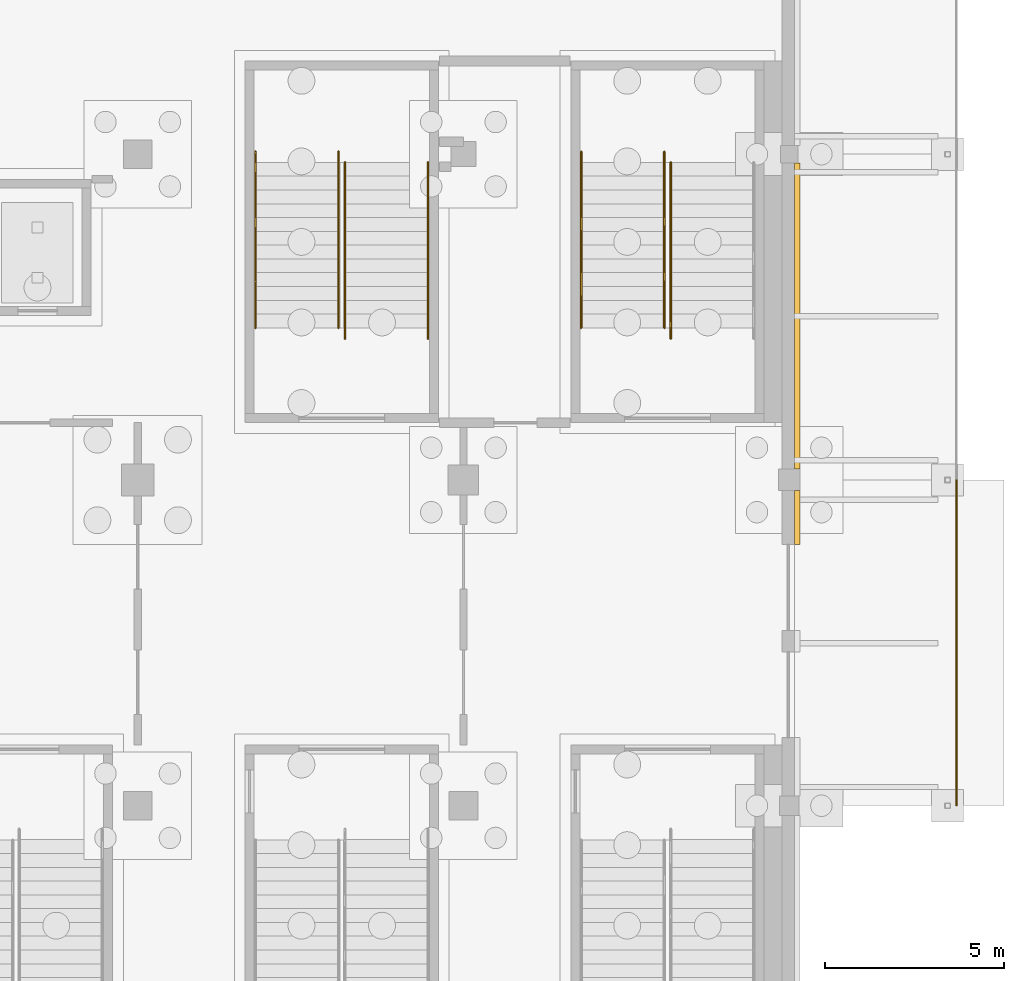
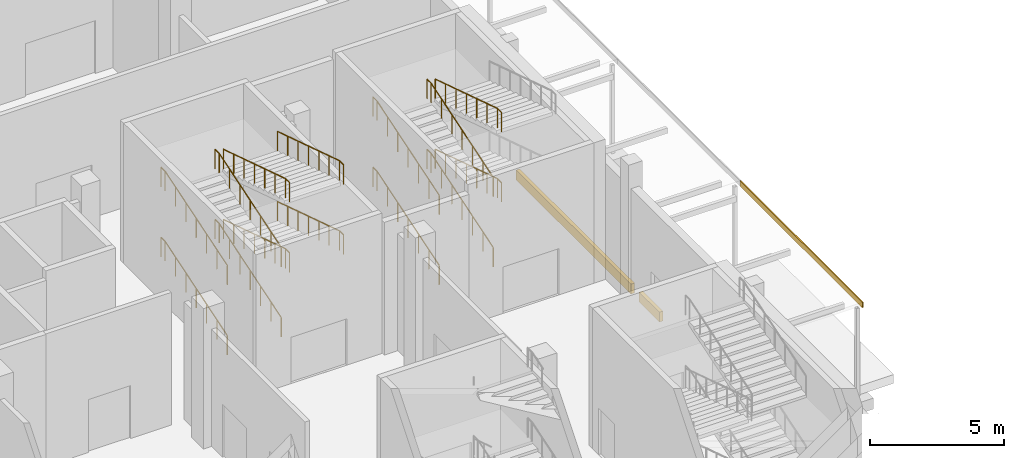
# One storey, part 118 of 129: 14 railings, 3 coverings.
"""IFC4 building model written with IfcOpenShell, lengths in metres."""

from ifc_helpers import new_model, si_unit, direction, frame, origin, origin_2d, place, context, subcontext, project, spatial, rectangle, circle, extrude, material, layer, layer_set, type_object, element, save


model = new_model("IFC4")

# Units and contexts
model_context = context("Model", 3, precision=1e-05, world=origin(), true_north=direction((0.0, 1.0)))
body_context = subcontext(model_context, "Body", "Model", "MODEL_VIEW")
ifc_project = project(units=[si_unit("LENGTHUNIT", "METRE"), si_unit("AREAUNIT", "SQUARE_METRE"), si_unit("VOLUMEUNIT", "CUBIC_METRE"), si_unit("PLANEANGLEUNIT", "RADIAN"), si_unit("MASSUNIT", "GRAM", prefix="KILO")], contexts=[model_context])

# Site, building, storey
site_placement = place(None, origin())
site = spatial("IfcSite", under=ifc_project, at=site_placement, CompositionType="ELEMENT")
building_placement = place(site_placement, origin())
building = spatial("IfcBuilding", under=site, at=building_placement, Name="Shirokan Park Arena", CompositionType="ELEMENT")
storey_placement = place(building_placement, origin())
storey = spatial("IfcBuildingStorey", under=building, at=storey_placement, Name="L00", CompositionType="ELEMENT", Elevation=0.0)

# Covering
ifc_material_1 = material(Name="Timber fascia (cedar)", Category="wood")
ifc_layer_1 = layer(ifc_material_1, 0.050048828125)
ifc_layer_set_1 = layer_set([ifc_layer_1], Name="Timber fascia (cedar) 50 mm")
covering_type_1 = type_object("IfcCoveringType", Name="Canopy fascia 50x250", PredefinedType="CLADDING", material=ifc_layer_set_1)
covering_1_placement = place(storey_placement, frame((150.27490234375, 13.64990234375, 3.5), z_axis=(0.0, 0.0, 1.0), x_axis=(0.0, 1.0, 0.0)))
element("IfcCovering", 1, at=covering_1_placement, inside=storey, type_object=covering_type_1, Name="Canopy fascia east bay 2", PredefinedType="CLADDING", context=body_context, shape_type="SweptSolid", body=[
    extrude(rectangle(XDim=9.10009765625, YDim=0.050048828125, at=origin_2d()), origin(), (0.0, 0.0, 1.0), 0.25),
])

# Railings
ifc_material_2 = material(Name="Stainless steel", Category="steel")
railing_type = type_object("IfcRailingType", Name="Stair handrail 900", PredefinedType="HANDRAIL", material=ifc_material_2)
railing_1_placement = place(storey_placement, frame((139.7900390625, 22.449951171875, 0.12255859375)))
element("IfcRailing", 2, at=railing_1_placement, inside=storey, type_object=railing_type, Name="Handrail Exit Stair 2.E L00 to L01", PredefinedType="HANDRAIL", context=body_context, shape_type="SweptSolid", body=[
    extrude(circle(Radius=0.02392578125, at=origin_2d()), frame((0.0, 0.0, 0.8759765625), z_axis=(0.0, 0.952929747917, 0.303191186441), x_axis=(-1.0, 0.0, 0.0)), (0.0, 0.0, 1.0), 1.6162109375),
    extrude(circle(Radius=0.02392578125, at=origin_2d()), frame((0.0, 1.5400390625, 1.36572265625), z_axis=(0.0, 0.952929747917, 0.303191186441), x_axis=(-1.0, 0.0, 0.0)), (0.0, 0.0, 1.0), 1.6162109375),
    extrude(circle(Radius=0.02392578125, at=origin_2d()), frame((0.0, 3.080078125, 1.85595703125), z_axis=(0.0, 0.952929747917, 0.303191186441), x_axis=(-1.0, 0.0, 0.0)), (0.0, 0.0, 1.0), 1.6162109375),
    extrude(circle(Radius=0.02392578125, at=origin_2d()), frame((0.0, 4.6201171875, 2.345703125), z_axis=(0.0, 1.0, 0.0), x_axis=(-1.0, 0.0, 0.0)), (0.0, 0.0, 1.0), 0.300048828125),
    extrude(circle(Radius=0.02099609375, at=origin_2d()), origin(), (0.0, 0.0, 1.0), 0.851806640625),
    extrude(circle(Radius=0.02099609375, at=origin_2d()), frame((0.0, 0.77001953125, 0.2451171875)), (0.0, 0.0, 1.0), 0.851806640625),
    extrude(circle(Radius=0.02099609375, at=origin_2d()), frame((0.0, 1.5400390625, 0.489990234375)), (0.0, 0.0, 1.0), 0.851806640625),
    extrude(circle(Radius=0.02099609375, at=origin_2d()), frame((0.0, 2.31005859375, 0.73486328125)), (0.0, 0.0, 1.0), 0.851806640625),
    extrude(circle(Radius=0.02099609375, at=origin_2d()), frame((0.0, 3.080078125, 0.97998046875)), (0.0, 0.0, 1.0), 0.851806640625),
    extrude(circle(Radius=0.02099609375, at=origin_2d()), frame((0.0, 3.85009765625, 1.22509765625)), (0.0, 0.0, 1.0), 0.851806640625),
    extrude(circle(Radius=0.02099609375, at=origin_2d()), frame((0.0, 4.6201171875, 1.469970703125)), (0.0, 0.0, 1.0), 0.851806640625),
    extrude(circle(Radius=0.02099609375, at=origin_2d()), frame((0.0, 4.920166015625, 1.469970703125)), (0.0, 0.0, 1.0), 0.851806640625),
])
railing_2_placement = place(storey_placement, frame((142.110107421875, 22.449951171875, 0.12255859375)))
element("IfcRailing", 3, at=railing_2_placement, inside=storey, type_object=railing_type, Name="Handrail Exit Stair 2.E L00 to L01", PredefinedType="HANDRAIL", context=body_context, shape_type="SweptSolid", body=[
    extrude(circle(Radius=0.02392578125, at=origin_2d()), frame((0.0, 0.0, 0.8759765625), z_axis=(0.0, 0.952929747917, 0.303191186441), x_axis=(-1.0, 0.0, 0.0)), (0.0, 0.0, 1.0), 1.6162109375),
    extrude(circle(Radius=0.02392578125, at=origin_2d()), frame((0.0, 1.5400390625, 1.36572265625), z_axis=(0.0, 0.952929747917, 0.303191186441), x_axis=(-1.0, 0.0, 0.0)), (0.0, 0.0, 1.0), 1.6162109375),
    extrude(circle(Radius=0.02392578125, at=origin_2d()), frame((0.0, 3.080078125, 1.85595703125), z_axis=(0.0, 0.952929747917, 0.303191186441), x_axis=(-1.0, 0.0, 0.0)), (0.0, 0.0, 1.0), 1.6162109375),
    extrude(circle(Radius=0.02392578125, at=origin_2d()), frame((0.0, 4.6201171875, 2.345703125), z_axis=(0.0, 1.0, 0.0), x_axis=(-1.0, 0.0, 0.0)), (0.0, 0.0, 1.0), 0.300048828125),
    extrude(circle(Radius=0.02099609375, at=origin_2d()), origin(), (0.0, 0.0, 1.0), 0.851806640625),
    extrude(circle(Radius=0.02099609375, at=origin_2d()), frame((0.0, 0.77001953125, 0.2451171875)), (0.0, 0.0, 1.0), 0.851806640625),
    extrude(circle(Radius=0.02099609375, at=origin_2d()), frame((0.0, 1.5400390625, 0.489990234375)), (0.0, 0.0, 1.0), 0.851806640625),
    extrude(circle(Radius=0.02099609375, at=origin_2d()), frame((0.0, 2.31005859375, 0.73486328125)), (0.0, 0.0, 1.0), 0.851806640625),
    extrude(circle(Radius=0.02099609375, at=origin_2d()), frame((0.0, 3.080078125, 0.97998046875)), (0.0, 0.0, 1.0), 0.851806640625),
    extrude(circle(Radius=0.02099609375, at=origin_2d()), frame((0.0, 3.85009765625, 1.22509765625)), (0.0, 0.0, 1.0), 0.851806640625),
    extrude(circle(Radius=0.02099609375, at=origin_2d()), frame((0.0, 4.6201171875, 1.469970703125)), (0.0, 0.0, 1.0), 0.851806640625),
    extrude(circle(Radius=0.02099609375, at=origin_2d()), frame((0.0, 4.920166015625, 1.469970703125)), (0.0, 0.0, 1.0), 0.851806640625),
])
railing_3_placement = place(storey_placement, frame((142.2900390625, 27.070068359375, 1.715087890625)))
element("IfcRailing", 4, at=railing_3_placement, inside=storey, type_object=railing_type, Name="Handrail Exit Stair 2.E L00 to L01", PredefinedType="HANDRAIL", context=body_context, shape_type="SweptSolid", body=[
    extrude(circle(Radius=0.02392578125, at=origin_2d()), frame((0.0, 0.0, 0.8759765625), z_axis=(0.0, -0.952929747917, 0.303191186441), x_axis=(1.0, 0.0, 0.0)), (0.0, 0.0, 1.0), 1.6162109375),
    extrude(circle(Radius=0.02392578125, at=origin_2d()), frame((0.0, -1.5400390625, 1.36572265625), z_axis=(0.0, -0.952929747917, 0.303191186441), x_axis=(1.0, 0.0, 0.0)), (0.0, 0.0, 1.0), 1.6162109375),
    extrude(circle(Radius=0.02392578125, at=origin_2d()), frame((0.0, -3.080078125, 1.85595703125), z_axis=(0.0, -0.952929747917, 0.303191186441), x_axis=(1.0, 0.0, 0.0)), (0.0, 0.0, 1.0), 1.6162109375),
    extrude(circle(Radius=0.02392578125, at=origin_2d()), frame((0.0, -4.6201171875, 2.345703125), z_axis=(0.0, -1.0, 0.0), x_axis=(1.0, 0.0, 0.0)), (0.0, 0.0, 1.0), 0.300048828125),
    extrude(circle(Radius=0.02099609375, at=origin_2d()), origin(), (0.0, 0.0, 1.0), 0.851806640625),
    extrude(circle(Radius=0.02099609375, at=origin_2d()), frame((0.0, -0.77001953125, 0.2451171875)), (0.0, 0.0, 1.0), 0.851806640625),
    extrude(circle(Radius=0.02099609375, at=origin_2d()), frame((0.0, -1.5400390625, 0.489990234375)), (0.0, 0.0, 1.0), 0.851806640625),
    extrude(circle(Radius=0.02099609375, at=origin_2d()), frame((0.0, -2.31005859375, 0.73486328125)), (0.0, 0.0, 1.0), 0.851806640625),
    extrude(circle(Radius=0.02099609375, at=origin_2d()), frame((0.0, -3.080078125, 0.97998046875)), (0.0, 0.0, 1.0), 0.851806640625),
    extrude(circle(Radius=0.02099609375, at=origin_2d()), frame((0.0, -3.85009765625, 1.22509765625)), (0.0, 0.0, 1.0), 0.851806640625),
    extrude(circle(Radius=0.02099609375, at=origin_2d()), frame((0.0, -4.6201171875, 1.469970703125)), (0.0, 0.0, 1.0), 0.851806640625),
    extrude(circle(Radius=0.02099609375, at=origin_2d()), frame((0.0, -4.920166015625, 1.469970703125)), (0.0, 0.0, 1.0), 0.851806640625),
])
railing_4_placement = place(storey_placement, frame((139.7900390625, 22.449951171875, 3.3076171875)))
element("IfcRailing", 5, at=railing_4_placement, inside=storey, type_object=railing_type, Name="Handrail Exit Stair 2.E L00 to L01", PredefinedType="HANDRAIL", context=body_context, shape_type="SweptSolid", body=[
    extrude(circle(Radius=0.02392578125, at=origin_2d()), frame((0.0, 0.0, 0.8759765625), z_axis=(0.0, 0.952929747917, 0.303191186441), x_axis=(-1.0, 0.0, 0.0)), (0.0, 0.0, 1.0), 1.6162109375),
    extrude(circle(Radius=0.02392578125, at=origin_2d()), frame((0.0, 1.5400390625, 1.36572265625), z_axis=(0.0, 0.952929747917, 0.303191186441), x_axis=(-1.0, 0.0, 0.0)), (0.0, 0.0, 1.0), 1.6162109375),
    extrude(circle(Radius=0.02392578125, at=origin_2d()), frame((0.0, 3.080078125, 1.85595703125), z_axis=(0.0, 0.952929747917, 0.303191186441), x_axis=(-1.0, 0.0, 0.0)), (0.0, 0.0, 1.0), 1.6162109375),
    extrude(circle(Radius=0.02392578125, at=origin_2d()), frame((0.0, 4.6201171875, 2.345703125), z_axis=(0.0, 1.0, 0.0), x_axis=(-1.0, 0.0, 0.0)), (0.0, 0.0, 1.0), 0.300048828125),
    extrude(circle(Radius=0.02099609375, at=origin_2d()), origin(), (0.0, 0.0, 1.0), 0.851806640625),
    extrude(circle(Radius=0.02099609375, at=origin_2d()), frame((0.0, 0.77001953125, 0.2451171875)), (0.0, 0.0, 1.0), 0.851806640625),
    extrude(circle(Radius=0.02099609375, at=origin_2d()), frame((0.0, 1.5400390625, 0.489990234375)), (0.0, 0.0, 1.0), 0.851806640625),
    extrude(circle(Radius=0.02099609375, at=origin_2d()), frame((0.0, 2.31005859375, 0.73486328125)), (0.0, 0.0, 1.0), 0.851806640625),
    extrude(circle(Radius=0.02099609375, at=origin_2d()), frame((0.0, 3.080078125, 0.97998046875)), (0.0, 0.0, 1.0), 0.851806640625),
    extrude(circle(Radius=0.02099609375, at=origin_2d()), frame((0.0, 3.85009765625, 1.22509765625)), (0.0, 0.0, 1.0), 0.851806640625),
    extrude(circle(Radius=0.02099609375, at=origin_2d()), frame((0.0, 4.6201171875, 1.469970703125)), (0.0, 0.0, 1.0), 0.851806640625),
    extrude(circle(Radius=0.02099609375, at=origin_2d()), frame((0.0, 4.920166015625, 1.469970703125)), (0.0, 0.0, 1.0), 0.851806640625),
])
railing_5_placement = place(storey_placement, frame((142.110107421875, 22.449951171875, 3.3076171875)))
element("IfcRailing", 6, at=railing_5_placement, inside=storey, type_object=railing_type, Name="Handrail Exit Stair 2.E L00 to L01", PredefinedType="HANDRAIL", context=body_context, shape_type="SweptSolid", body=[
    extrude(circle(Radius=0.02392578125, at=origin_2d()), frame((0.0, 0.0, 0.8759765625), z_axis=(0.0, 0.952929747917, 0.303191186441), x_axis=(-1.0, 0.0, 0.0)), (0.0, 0.0, 1.0), 1.6162109375),
    extrude(circle(Radius=0.02392578125, at=origin_2d()), frame((0.0, 1.5400390625, 1.36572265625), z_axis=(0.0, 0.952929747917, 0.303191186441), x_axis=(-1.0, 0.0, 0.0)), (0.0, 0.0, 1.0), 1.6162109375),
    extrude(circle(Radius=0.02392578125, at=origin_2d()), frame((0.0, 3.080078125, 1.85595703125), z_axis=(0.0, 0.952929747917, 0.303191186441), x_axis=(-1.0, 0.0, 0.0)), (0.0, 0.0, 1.0), 1.6162109375),
    extrude(circle(Radius=0.02392578125, at=origin_2d()), frame((0.0, 4.6201171875, 2.345703125), z_axis=(0.0, 1.0, 0.0), x_axis=(-1.0, 0.0, 0.0)), (0.0, 0.0, 1.0), 0.300048828125),
    extrude(circle(Radius=0.02099609375, at=origin_2d()), origin(), (0.0, 0.0, 1.0), 0.851806640625),
    extrude(circle(Radius=0.02099609375, at=origin_2d()), frame((0.0, 0.77001953125, 0.2451171875)), (0.0, 0.0, 1.0), 0.851806640625),
    extrude(circle(Radius=0.02099609375, at=origin_2d()), frame((0.0, 1.5400390625, 0.489990234375)), (0.0, 0.0, 1.0), 0.851806640625),
    extrude(circle(Radius=0.02099609375, at=origin_2d()), frame((0.0, 2.31005859375, 0.73486328125)), (0.0, 0.0, 1.0), 0.851806640625),
    extrude(circle(Radius=0.02099609375, at=origin_2d()), frame((0.0, 3.080078125, 0.97998046875)), (0.0, 0.0, 1.0), 0.851806640625),
    extrude(circle(Radius=0.02099609375, at=origin_2d()), frame((0.0, 3.85009765625, 1.22509765625)), (0.0, 0.0, 1.0), 0.851806640625),
    extrude(circle(Radius=0.02099609375, at=origin_2d()), frame((0.0, 4.6201171875, 1.469970703125)), (0.0, 0.0, 1.0), 0.851806640625),
    extrude(circle(Radius=0.02099609375, at=origin_2d()), frame((0.0, 4.920166015625, 1.469970703125)), (0.0, 0.0, 1.0), 0.851806640625),
])
railing_6_placement = place(storey_placement, frame((142.2900390625, 27.070068359375, 4.89990234375)))
element("IfcRailing", 7, at=railing_6_placement, inside=storey, type_object=railing_type, Name="Handrail Exit Stair 2.E L00 to L01", PredefinedType="HANDRAIL", context=body_context, shape_type="SweptSolid", body=[
    extrude(circle(Radius=0.02392578125, at=origin_2d()), frame((0.0, 0.0, 0.8759765625), z_axis=(0.0, -0.952929747917, 0.303191186441), x_axis=(1.0, 0.0, 0.0)), (0.0, 0.0, 1.0), 1.6162109375),
    extrude(circle(Radius=0.02392578125, at=origin_2d()), frame((0.0, -1.5400390625, 1.36572265625), z_axis=(0.0, -0.952929747917, 0.303191186441), x_axis=(1.0, 0.0, 0.0)), (0.0, 0.0, 1.0), 1.6162109375),
    extrude(circle(Radius=0.02392578125, at=origin_2d()), frame((0.0, -3.080078125, 1.85595703125), z_axis=(0.0, -0.952886093821, 0.303328357069), x_axis=(1.0, 0.0, 0.0)), (0.0, 0.0, 1.0), 1.6162109375),
    extrude(circle(Radius=0.02392578125, at=origin_2d()), frame((0.0, -4.6201171875, 2.34619140625), z_axis=(0.0, -1.0, 0.0), x_axis=(1.0, 0.0, 0.0)), (0.0, 0.0, 1.0), 0.300048828125),
    extrude(circle(Radius=0.02099609375, at=origin_2d()), origin(), (0.0, 0.0, 1.0), 0.851806640625),
    extrude(circle(Radius=0.02099609375, at=origin_2d()), frame((0.0, -0.77001953125, 0.2451171875)), (0.0, 0.0, 1.0), 0.851806640625),
    extrude(circle(Radius=0.02099609375, at=origin_2d()), frame((0.0, -1.5400390625, 0.489990234375)), (0.0, 0.0, 1.0), 0.851806640625),
    extrude(circle(Radius=0.02099609375, at=origin_2d()), frame((0.0, -2.31005859375, 0.73486328125)), (0.0, 0.0, 1.0), 0.851806640625),
    extrude(circle(Radius=0.02099609375, at=origin_2d()), frame((0.0, -3.080078125, 0.97998046875)), (0.0, 0.0, 1.0), 0.851806640625),
    extrude(circle(Radius=0.02099609375, at=origin_2d()), frame((0.0, -3.85009765625, 1.22509765625)), (0.0, 0.0, 1.0), 0.851806640625),
    extrude(circle(Radius=0.02099609375, at=origin_2d()), frame((0.0, -4.6201171875, 1.47021484375)), (0.0, 0.0, 1.0), 0.851806640625),
    extrude(circle(Radius=0.02099609375, at=origin_2d()), frame((0.0, -4.920166015625, 1.47021484375)), (0.0, 0.0, 1.0), 0.851806640625),
])
railing_7_placement = place(storey_placement, frame((130.68994140625, 22.449951171875, 0.12255859375)))
element("IfcRailing", 8, at=railing_7_placement, inside=storey, type_object=railing_type, Name="Handrail Exit Stair 2.F L00 to L01", PredefinedType="HANDRAIL", context=body_context, shape_type="SweptSolid", body=[
    extrude(circle(Radius=0.02392578125, at=origin_2d()), frame((0.0, 0.0, 0.8759765625), z_axis=(0.0, 0.952929747917, 0.303191186441), x_axis=(-1.0, 0.0, 0.0)), (0.0, 0.0, 1.0), 1.6162109375),
    extrude(circle(Radius=0.02392578125, at=origin_2d()), frame((0.0, 1.5400390625, 1.36572265625), z_axis=(0.0, 0.952929747917, 0.303191186441), x_axis=(-1.0, 0.0, 0.0)), (0.0, 0.0, 1.0), 1.6162109375),
    extrude(circle(Radius=0.02392578125, at=origin_2d()), frame((0.0, 3.080078125, 1.85595703125), z_axis=(0.0, 0.952929747917, 0.303191186441), x_axis=(-1.0, 0.0, 0.0)), (0.0, 0.0, 1.0), 1.6162109375),
    extrude(circle(Radius=0.02392578125, at=origin_2d()), frame((0.0, 4.6201171875, 2.345703125), z_axis=(0.0, 1.0, 0.0), x_axis=(-1.0, 0.0, 0.0)), (0.0, 0.0, 1.0), 0.300048828125),
    extrude(circle(Radius=0.02099609375, at=origin_2d()), origin(), (0.0, 0.0, 1.0), 0.851806640625),
    extrude(circle(Radius=0.02099609375, at=origin_2d()), frame((0.0, 0.77001953125, 0.2451171875)), (0.0, 0.0, 1.0), 0.851806640625),
    extrude(circle(Radius=0.02099609375, at=origin_2d()), frame((0.0, 1.5400390625, 0.489990234375)), (0.0, 0.0, 1.0), 0.851806640625),
    extrude(circle(Radius=0.02099609375, at=origin_2d()), frame((0.0, 2.31005859375, 0.73486328125)), (0.0, 0.0, 1.0), 0.851806640625),
    extrude(circle(Radius=0.02099609375, at=origin_2d()), frame((0.0, 3.080078125, 0.97998046875)), (0.0, 0.0, 1.0), 0.851806640625),
    extrude(circle(Radius=0.02099609375, at=origin_2d()), frame((0.0, 3.85009765625, 1.22509765625)), (0.0, 0.0, 1.0), 0.851806640625),
    extrude(circle(Radius=0.02099609375, at=origin_2d()), frame((0.0, 4.6201171875, 1.469970703125)), (0.0, 0.0, 1.0), 0.851806640625),
    extrude(circle(Radius=0.02099609375, at=origin_2d()), frame((0.0, 4.920166015625, 1.469970703125)), (0.0, 0.0, 1.0), 0.851806640625),
])
railing_8_placement = place(storey_placement, frame((133.010009765625, 22.449951171875, 0.12255859375)))
element("IfcRailing", 9, at=railing_8_placement, inside=storey, type_object=railing_type, Name="Handrail Exit Stair 2.F L00 to L01", PredefinedType="HANDRAIL", context=body_context, shape_type="SweptSolid", body=[
    extrude(circle(Radius=0.02392578125, at=origin_2d()), frame((0.0, 0.0, 0.8759765625), z_axis=(0.0, 0.952929747917, 0.303191186441), x_axis=(-1.0, 0.0, 0.0)), (0.0, 0.0, 1.0), 1.6162109375),
    extrude(circle(Radius=0.02392578125, at=origin_2d()), frame((0.0, 1.5400390625, 1.36572265625), z_axis=(0.0, 0.952929747917, 0.303191186441), x_axis=(-1.0, 0.0, 0.0)), (0.0, 0.0, 1.0), 1.6162109375),
    extrude(circle(Radius=0.02392578125, at=origin_2d()), frame((0.0, 3.080078125, 1.85595703125), z_axis=(0.0, 0.952929747917, 0.303191186441), x_axis=(-1.0, 0.0, 0.0)), (0.0, 0.0, 1.0), 1.6162109375),
    extrude(circle(Radius=0.02392578125, at=origin_2d()), frame((0.0, 4.6201171875, 2.345703125), z_axis=(0.0, 1.0, 0.0), x_axis=(-1.0, 0.0, 0.0)), (0.0, 0.0, 1.0), 0.300048828125),
    extrude(circle(Radius=0.02099609375, at=origin_2d()), origin(), (0.0, 0.0, 1.0), 0.851806640625),
    extrude(circle(Radius=0.02099609375, at=origin_2d()), frame((0.0, 0.77001953125, 0.2451171875)), (0.0, 0.0, 1.0), 0.851806640625),
    extrude(circle(Radius=0.02099609375, at=origin_2d()), frame((0.0, 1.5400390625, 0.489990234375)), (0.0, 0.0, 1.0), 0.851806640625),
    extrude(circle(Radius=0.02099609375, at=origin_2d()), frame((0.0, 2.31005859375, 0.73486328125)), (0.0, 0.0, 1.0), 0.851806640625),
    extrude(circle(Radius=0.02099609375, at=origin_2d()), frame((0.0, 3.080078125, 0.97998046875)), (0.0, 0.0, 1.0), 0.851806640625),
    extrude(circle(Radius=0.02099609375, at=origin_2d()), frame((0.0, 3.85009765625, 1.22509765625)), (0.0, 0.0, 1.0), 0.851806640625),
    extrude(circle(Radius=0.02099609375, at=origin_2d()), frame((0.0, 4.6201171875, 1.469970703125)), (0.0, 0.0, 1.0), 0.851806640625),
    extrude(circle(Radius=0.02099609375, at=origin_2d()), frame((0.0, 4.920166015625, 1.469970703125)), (0.0, 0.0, 1.0), 0.851806640625),
])
railing_9_placement = place(storey_placement, frame((133.18994140625, 27.070068359375, 1.715087890625)))
element("IfcRailing", 10, at=railing_9_placement, inside=storey, type_object=railing_type, Name="Handrail Exit Stair 2.F L00 to L01", PredefinedType="HANDRAIL", context=body_context, shape_type="SweptSolid", body=[
    extrude(circle(Radius=0.02392578125, at=origin_2d()), frame((0.0, 0.0, 0.8759765625), z_axis=(0.0, -0.952929747917, 0.303191186441), x_axis=(1.0, 0.0, 0.0)), (0.0, 0.0, 1.0), 1.6162109375),
    extrude(circle(Radius=0.02392578125, at=origin_2d()), frame((0.0, -1.5400390625, 1.36572265625), z_axis=(0.0, -0.952929747917, 0.303191186441), x_axis=(1.0, 0.0, 0.0)), (0.0, 0.0, 1.0), 1.6162109375),
    extrude(circle(Radius=0.02392578125, at=origin_2d()), frame((0.0, -3.080078125, 1.85595703125), z_axis=(0.0, -0.952929747917, 0.303191186441), x_axis=(1.0, 0.0, 0.0)), (0.0, 0.0, 1.0), 1.6162109375),
    extrude(circle(Radius=0.02392578125, at=origin_2d()), frame((0.0, -4.6201171875, 2.345703125), z_axis=(0.0, -1.0, 0.0), x_axis=(1.0, 0.0, 0.0)), (0.0, 0.0, 1.0), 0.300048828125),
    extrude(circle(Radius=0.02099609375, at=origin_2d()), origin(), (0.0, 0.0, 1.0), 0.851806640625),
    extrude(circle(Radius=0.02099609375, at=origin_2d()), frame((0.0, -0.77001953125, 0.2451171875)), (0.0, 0.0, 1.0), 0.851806640625),
    extrude(circle(Radius=0.02099609375, at=origin_2d()), frame((0.0, -1.5400390625, 0.489990234375)), (0.0, 0.0, 1.0), 0.851806640625),
    extrude(circle(Radius=0.02099609375, at=origin_2d()), frame((0.0, -2.31005859375, 0.73486328125)), (0.0, 0.0, 1.0), 0.851806640625),
    extrude(circle(Radius=0.02099609375, at=origin_2d()), frame((0.0, -3.080078125, 0.97998046875)), (0.0, 0.0, 1.0), 0.851806640625),
    extrude(circle(Radius=0.02099609375, at=origin_2d()), frame((0.0, -3.85009765625, 1.22509765625)), (0.0, 0.0, 1.0), 0.851806640625),
    extrude(circle(Radius=0.02099609375, at=origin_2d()), frame((0.0, -4.6201171875, 1.469970703125)), (0.0, 0.0, 1.0), 0.851806640625),
    extrude(circle(Radius=0.02099609375, at=origin_2d()), frame((0.0, -4.920166015625, 1.469970703125)), (0.0, 0.0, 1.0), 0.851806640625),
])
railing_10_placement = place(storey_placement, frame((135.510009765625, 27.070068359375, 1.715087890625)))
element("IfcRailing", 11, at=railing_10_placement, inside=storey, type_object=railing_type, Name="Handrail Exit Stair 2.F L00 to L01", PredefinedType="HANDRAIL", context=body_context, shape_type="SweptSolid", body=[
    extrude(circle(Radius=0.02392578125, at=origin_2d()), frame((0.0, 0.0, 0.8759765625), z_axis=(0.0, -0.952929747917, 0.303191186441), x_axis=(1.0, 0.0, 0.0)), (0.0, 0.0, 1.0), 1.6162109375),
    extrude(circle(Radius=0.02392578125, at=origin_2d()), frame((0.0, -1.5400390625, 1.36572265625), z_axis=(0.0, -0.952929747917, 0.303191186441), x_axis=(1.0, 0.0, 0.0)), (0.0, 0.0, 1.0), 1.6162109375),
    extrude(circle(Radius=0.02392578125, at=origin_2d()), frame((0.0, -3.080078125, 1.85595703125), z_axis=(0.0, -0.952929747917, 0.303191186441), x_axis=(1.0, 0.0, 0.0)), (0.0, 0.0, 1.0), 1.6162109375),
    extrude(circle(Radius=0.02392578125, at=origin_2d()), frame((0.0, -4.6201171875, 2.345703125), z_axis=(0.0, -1.0, 0.0), x_axis=(1.0, 0.0, 0.0)), (0.0, 0.0, 1.0), 0.300048828125),
    extrude(circle(Radius=0.02099609375, at=origin_2d()), origin(), (0.0, 0.0, 1.0), 0.851806640625),
    extrude(circle(Radius=0.02099609375, at=origin_2d()), frame((0.0, -0.77001953125, 0.2451171875)), (0.0, 0.0, 1.0), 0.851806640625),
    extrude(circle(Radius=0.02099609375, at=origin_2d()), frame((0.0, -1.5400390625, 0.489990234375)), (0.0, 0.0, 1.0), 0.851806640625),
    extrude(circle(Radius=0.02099609375, at=origin_2d()), frame((0.0, -2.31005859375, 0.73486328125)), (0.0, 0.0, 1.0), 0.851806640625),
    extrude(circle(Radius=0.02099609375, at=origin_2d()), frame((0.0, -3.080078125, 0.97998046875)), (0.0, 0.0, 1.0), 0.851806640625),
    extrude(circle(Radius=0.02099609375, at=origin_2d()), frame((0.0, -3.85009765625, 1.22509765625)), (0.0, 0.0, 1.0), 0.851806640625),
    extrude(circle(Radius=0.02099609375, at=origin_2d()), frame((0.0, -4.6201171875, 1.469970703125)), (0.0, 0.0, 1.0), 0.851806640625),
    extrude(circle(Radius=0.02099609375, at=origin_2d()), frame((0.0, -4.920166015625, 1.469970703125)), (0.0, 0.0, 1.0), 0.851806640625),
])
railing_11_placement = place(storey_placement, frame((130.68994140625, 22.449951171875, 3.3076171875)))
element("IfcRailing", 12, at=railing_11_placement, inside=storey, type_object=railing_type, Name="Handrail Exit Stair 2.F L00 to L01", PredefinedType="HANDRAIL", context=body_context, shape_type="SweptSolid", body=[
    extrude(circle(Radius=0.02392578125, at=origin_2d()), frame((0.0, 0.0, 0.8759765625), z_axis=(0.0, 0.952929747917, 0.303191186441), x_axis=(-1.0, 0.0, 0.0)), (0.0, 0.0, 1.0), 1.6162109375),
    extrude(circle(Radius=0.02392578125, at=origin_2d()), frame((0.0, 1.5400390625, 1.36572265625), z_axis=(0.0, 0.952929747917, 0.303191186441), x_axis=(-1.0, 0.0, 0.0)), (0.0, 0.0, 1.0), 1.6162109375),
    extrude(circle(Radius=0.02392578125, at=origin_2d()), frame((0.0, 3.080078125, 1.85595703125), z_axis=(0.0, 0.952929747917, 0.303191186441), x_axis=(-1.0, 0.0, 0.0)), (0.0, 0.0, 1.0), 1.6162109375),
    extrude(circle(Radius=0.02392578125, at=origin_2d()), frame((0.0, 4.6201171875, 2.345703125), z_axis=(0.0, 1.0, 0.0), x_axis=(-1.0, 0.0, 0.0)), (0.0, 0.0, 1.0), 0.300048828125),
    extrude(circle(Radius=0.02099609375, at=origin_2d()), origin(), (0.0, 0.0, 1.0), 0.851806640625),
    extrude(circle(Radius=0.02099609375, at=origin_2d()), frame((0.0, 0.77001953125, 0.2451171875)), (0.0, 0.0, 1.0), 0.851806640625),
    extrude(circle(Radius=0.02099609375, at=origin_2d()), frame((0.0, 1.5400390625, 0.489990234375)), (0.0, 0.0, 1.0), 0.851806640625),
    extrude(circle(Radius=0.02099609375, at=origin_2d()), frame((0.0, 2.31005859375, 0.73486328125)), (0.0, 0.0, 1.0), 0.851806640625),
    extrude(circle(Radius=0.02099609375, at=origin_2d()), frame((0.0, 3.080078125, 0.97998046875)), (0.0, 0.0, 1.0), 0.851806640625),
    extrude(circle(Radius=0.02099609375, at=origin_2d()), frame((0.0, 3.85009765625, 1.22509765625)), (0.0, 0.0, 1.0), 0.851806640625),
    extrude(circle(Radius=0.02099609375, at=origin_2d()), frame((0.0, 4.6201171875, 1.469970703125)), (0.0, 0.0, 1.0), 0.851806640625),
    extrude(circle(Radius=0.02099609375, at=origin_2d()), frame((0.0, 4.920166015625, 1.469970703125)), (0.0, 0.0, 1.0), 0.851806640625),
])
railing_12_placement = place(storey_placement, frame((133.010009765625, 22.449951171875, 3.3076171875)))
element("IfcRailing", 13, at=railing_12_placement, inside=storey, type_object=railing_type, Name="Handrail Exit Stair 2.F L00 to L01", PredefinedType="HANDRAIL", context=body_context, shape_type="SweptSolid", body=[
    extrude(circle(Radius=0.02392578125, at=origin_2d()), frame((0.0, 0.0, 0.8759765625), z_axis=(0.0, 0.952929747917, 0.303191186441), x_axis=(-1.0, 0.0, 0.0)), (0.0, 0.0, 1.0), 1.6162109375),
    extrude(circle(Radius=0.02392578125, at=origin_2d()), frame((0.0, 1.5400390625, 1.36572265625), z_axis=(0.0, 0.952929747917, 0.303191186441), x_axis=(-1.0, 0.0, 0.0)), (0.0, 0.0, 1.0), 1.6162109375),
    extrude(circle(Radius=0.02392578125, at=origin_2d()), frame((0.0, 3.080078125, 1.85595703125), z_axis=(0.0, 0.952929747917, 0.303191186441), x_axis=(-1.0, 0.0, 0.0)), (0.0, 0.0, 1.0), 1.6162109375),
    extrude(circle(Radius=0.02392578125, at=origin_2d()), frame((0.0, 4.6201171875, 2.345703125), z_axis=(0.0, 1.0, 0.0), x_axis=(-1.0, 0.0, 0.0)), (0.0, 0.0, 1.0), 0.300048828125),
    extrude(circle(Radius=0.02099609375, at=origin_2d()), origin(), (0.0, 0.0, 1.0), 0.851806640625),
    extrude(circle(Radius=0.02099609375, at=origin_2d()), frame((0.0, 0.77001953125, 0.2451171875)), (0.0, 0.0, 1.0), 0.851806640625),
    extrude(circle(Radius=0.02099609375, at=origin_2d()), frame((0.0, 1.5400390625, 0.489990234375)), (0.0, 0.0, 1.0), 0.851806640625),
    extrude(circle(Radius=0.02099609375, at=origin_2d()), frame((0.0, 2.31005859375, 0.73486328125)), (0.0, 0.0, 1.0), 0.851806640625),
    extrude(circle(Radius=0.02099609375, at=origin_2d()), frame((0.0, 3.080078125, 0.97998046875)), (0.0, 0.0, 1.0), 0.851806640625),
    extrude(circle(Radius=0.02099609375, at=origin_2d()), frame((0.0, 3.85009765625, 1.22509765625)), (0.0, 0.0, 1.0), 0.851806640625),
    extrude(circle(Radius=0.02099609375, at=origin_2d()), frame((0.0, 4.6201171875, 1.469970703125)), (0.0, 0.0, 1.0), 0.851806640625),
    extrude(circle(Radius=0.02099609375, at=origin_2d()), frame((0.0, 4.920166015625, 1.469970703125)), (0.0, 0.0, 1.0), 0.851806640625),
])
railing_13_placement = place(storey_placement, frame((133.18994140625, 27.070068359375, 4.89990234375)))
element("IfcRailing", 14, at=railing_13_placement, inside=storey, type_object=railing_type, Name="Handrail Exit Stair 2.F L00 to L01", PredefinedType="HANDRAIL", context=body_context, shape_type="SweptSolid", body=[
    extrude(circle(Radius=0.02392578125, at=origin_2d()), frame((0.0, 0.0, 0.8759765625), z_axis=(0.0, -0.952929747917, 0.303191186441), x_axis=(1.0, 0.0, 0.0)), (0.0, 0.0, 1.0), 1.6162109375),
    extrude(circle(Radius=0.02392578125, at=origin_2d()), frame((0.0, -1.5400390625, 1.36572265625), z_axis=(0.0, -0.952929747917, 0.303191186441), x_axis=(1.0, 0.0, 0.0)), (0.0, 0.0, 1.0), 1.6162109375),
    extrude(circle(Radius=0.02392578125, at=origin_2d()), frame((0.0, -3.080078125, 1.85595703125), z_axis=(0.0, -0.952886093821, 0.303328357069), x_axis=(1.0, 0.0, 0.0)), (0.0, 0.0, 1.0), 1.6162109375),
    extrude(circle(Radius=0.02392578125, at=origin_2d()), frame((0.0, -4.6201171875, 2.34619140625), z_axis=(0.0, -1.0, 0.0), x_axis=(1.0, 0.0, 0.0)), (0.0, 0.0, 1.0), 0.300048828125),
    extrude(circle(Radius=0.02099609375, at=origin_2d()), origin(), (0.0, 0.0, 1.0), 0.851806640625),
    extrude(circle(Radius=0.02099609375, at=origin_2d()), frame((0.0, -0.77001953125, 0.2451171875)), (0.0, 0.0, 1.0), 0.851806640625),
    extrude(circle(Radius=0.02099609375, at=origin_2d()), frame((0.0, -1.5400390625, 0.489990234375)), (0.0, 0.0, 1.0), 0.851806640625),
    extrude(circle(Radius=0.02099609375, at=origin_2d()), frame((0.0, -2.31005859375, 0.73486328125)), (0.0, 0.0, 1.0), 0.851806640625),
    extrude(circle(Radius=0.02099609375, at=origin_2d()), frame((0.0, -3.080078125, 0.97998046875)), (0.0, 0.0, 1.0), 0.851806640625),
    extrude(circle(Radius=0.02099609375, at=origin_2d()), frame((0.0, -3.85009765625, 1.22509765625)), (0.0, 0.0, 1.0), 0.851806640625),
    extrude(circle(Radius=0.02099609375, at=origin_2d()), frame((0.0, -4.6201171875, 1.47021484375)), (0.0, 0.0, 1.0), 0.851806640625),
    extrude(circle(Radius=0.02099609375, at=origin_2d()), frame((0.0, -4.920166015625, 1.47021484375)), (0.0, 0.0, 1.0), 0.851806640625),
])
railing_14_placement = place(storey_placement, frame((135.510009765625, 27.070068359375, 4.89990234375)))
element("IfcRailing", 15, at=railing_14_placement, inside=storey, type_object=railing_type, Name="Handrail Exit Stair 2.F L00 to L01", PredefinedType="HANDRAIL", context=body_context, shape_type="SweptSolid", body=[
    extrude(circle(Radius=0.02392578125, at=origin_2d()), frame((0.0, 0.0, 0.8759765625), z_axis=(0.0, -0.952929747917, 0.303191186441), x_axis=(1.0, 0.0, 0.0)), (0.0, 0.0, 1.0), 1.6162109375),
    extrude(circle(Radius=0.02392578125, at=origin_2d()), frame((0.0, -1.5400390625, 1.36572265625), z_axis=(0.0, -0.952929747917, 0.303191186441), x_axis=(1.0, 0.0, 0.0)), (0.0, 0.0, 1.0), 1.6162109375),
    extrude(circle(Radius=0.02392578125, at=origin_2d()), frame((0.0, -3.080078125, 1.85595703125), z_axis=(0.0, -0.952886093821, 0.303328357069), x_axis=(1.0, 0.0, 0.0)), (0.0, 0.0, 1.0), 1.6162109375),
    extrude(circle(Radius=0.02392578125, at=origin_2d()), frame((0.0, -4.6201171875, 2.34619140625), z_axis=(0.0, -1.0, 0.0), x_axis=(1.0, 0.0, 0.0)), (0.0, 0.0, 1.0), 0.300048828125),
    extrude(circle(Radius=0.02099609375, at=origin_2d()), origin(), (0.0, 0.0, 1.0), 0.851806640625),
    extrude(circle(Radius=0.02099609375, at=origin_2d()), frame((0.0, -0.77001953125, 0.2451171875)), (0.0, 0.0, 1.0), 0.851806640625),
    extrude(circle(Radius=0.02099609375, at=origin_2d()), frame((0.0, -1.5400390625, 0.489990234375)), (0.0, 0.0, 1.0), 0.851806640625),
    extrude(circle(Radius=0.02099609375, at=origin_2d()), frame((0.0, -2.31005859375, 0.73486328125)), (0.0, 0.0, 1.0), 0.851806640625),
    extrude(circle(Radius=0.02099609375, at=origin_2d()), frame((0.0, -3.080078125, 0.97998046875)), (0.0, 0.0, 1.0), 0.851806640625),
    extrude(circle(Radius=0.02099609375, at=origin_2d()), frame((0.0, -3.85009765625, 1.22509765625)), (0.0, 0.0, 1.0), 0.851806640625),
    extrude(circle(Radius=0.02099609375, at=origin_2d()), frame((0.0, -4.6201171875, 1.47021484375)), (0.0, 0.0, 1.0), 0.851806640625),
    extrude(circle(Radius=0.02099609375, at=origin_2d()), frame((0.0, -4.920166015625, 1.47021484375)), (0.0, 0.0, 1.0), 0.851806640625),
])

# Coverings
ifc_material_3 = material(Name="Natural stone", Category="masonry")
ifc_layer_2 = layer(ifc_material_3, 0.14990234375)
ifc_layer_set_2 = layer_set([ifc_layer_2], Name="Natural stone 150 mm")
covering_type_2 = type_object("IfcCoveringType", Name="Stone plinth 150x450", PredefinedType="CLADDING", material=ifc_layer_set_2)
covering_2_placement = place(storey_placement, frame((145.824951171875, 17.14990234375, 0.0), z_axis=(0.0, 0.0, 1.0), x_axis=(0.0, 1.0, 0.0)))
element("IfcCovering", 16, at=covering_2_placement, inside=storey, type_object=covering_type_2, Name="Stone plinth east bay 2", PredefinedType="CLADDING", context=body_context, shape_type="SweptSolid", body=[
    extrude(rectangle(XDim=1.5, YDim=0.14990234375, at=origin_2d()), origin(), (0.0, 0.0, 1.0), 0.449951171875),
])
covering_3_placement = place(storey_placement, frame((145.824951171875, 22.77490234375, 0.0), z_axis=(0.0, 0.0, 1.0), x_axis=(0.0, 1.0, 0.0)))
element("IfcCovering", 17, at=covering_3_placement, inside=storey, type_object=covering_type_2, Name="Stone plinth east bay 3", PredefinedType="CLADDING", context=body_context, shape_type="SweptSolid", body=[
    extrude(rectangle(XDim=8.550048828125, YDim=0.14990234375, at=origin_2d()), origin(), (0.0, 0.0, 1.0), 0.449951171875),
])

save(model, "model.ifc")
